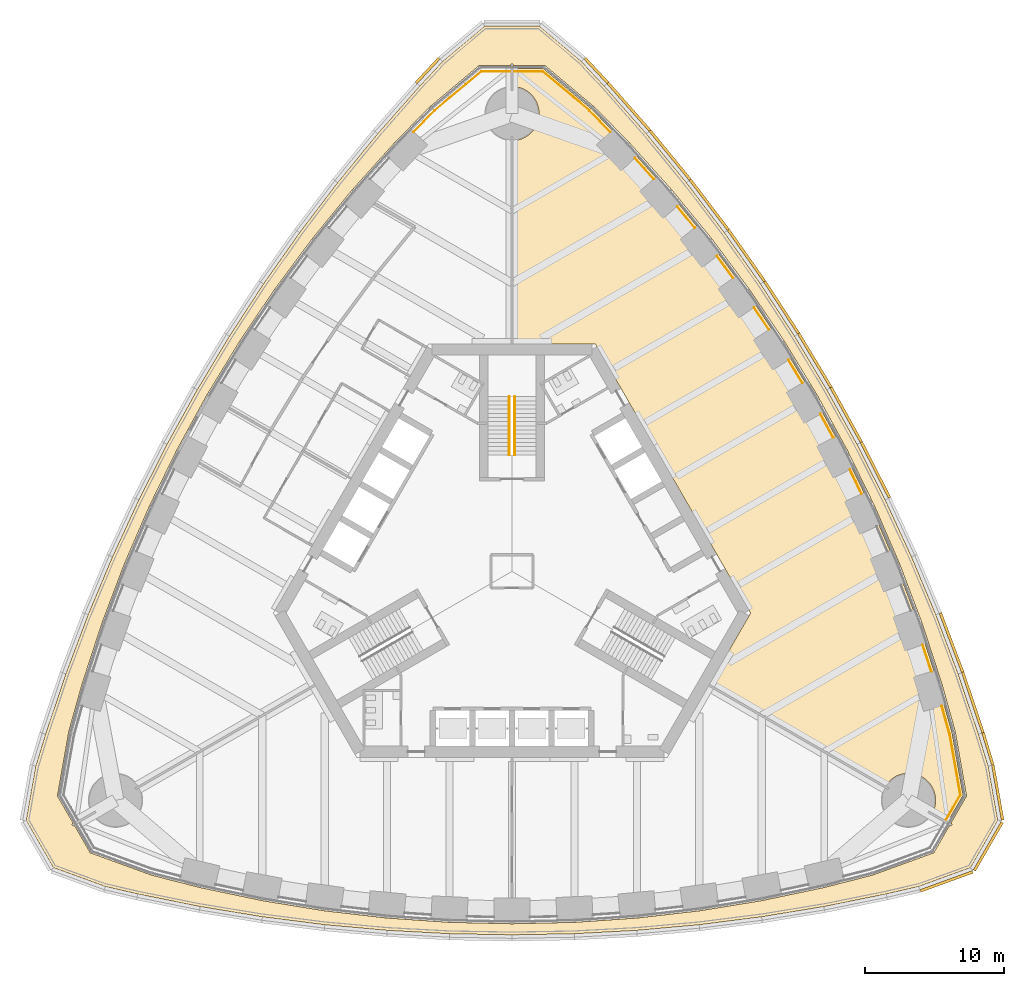
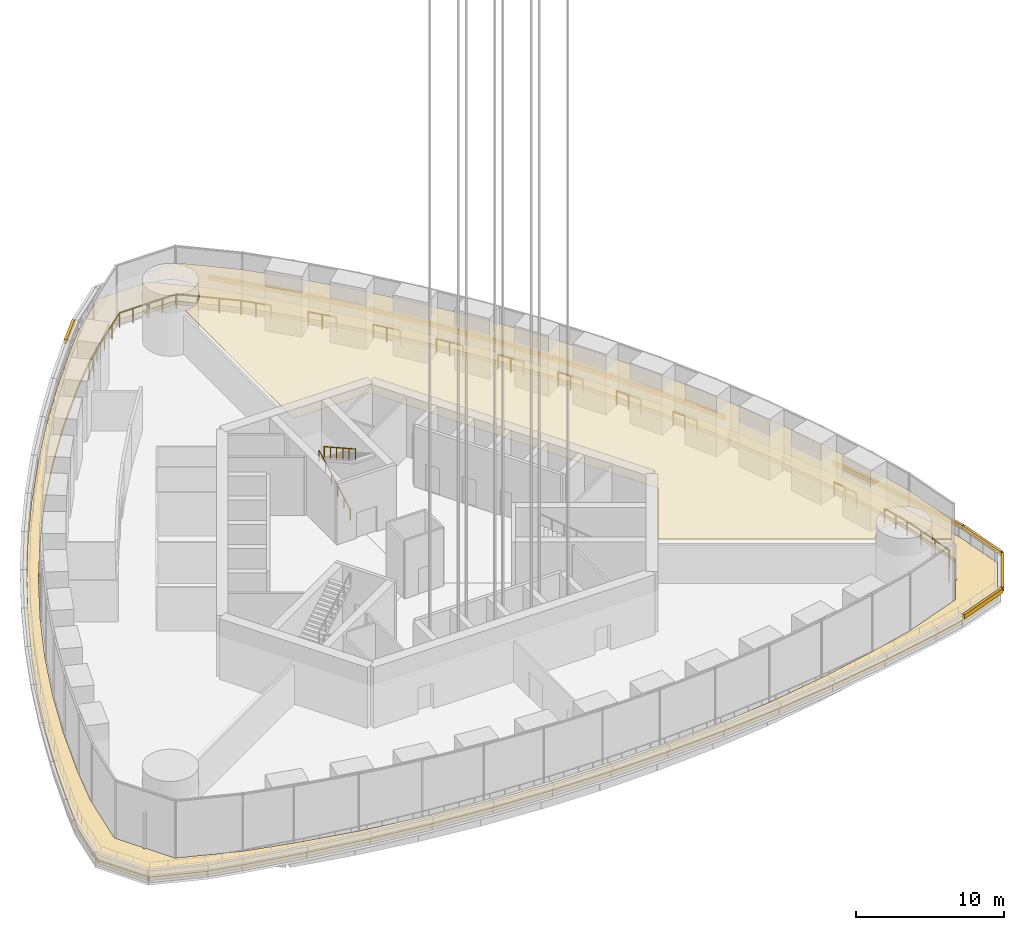
# One storey, part 20 of 31: 18 coverings, 13 railings.
"""IFC4 building model written with IfcOpenShell, lengths in metres."""

import ifcopenshell
import ifcopenshell.guid

model = None  # the IFC model being written
_history = None  # IfcOwnerHistory: only IFC2X3 demands one
_inside = {}  # id of a spatial element -> (the spatial element, [elements in it])
_under = {}  # id of a project, library or spatial element -> (it, [spatial elements below it])
_declared = {}  # id of a project -> (the project, [libraries it declares])
_typed = {}  # id of a type object -> (the type object, [elements of that type])
_made_of = {}  # id of a material, layer set ... -> (it, [elements and type objects made of it])


def new_model(schema):
    """Start an empty IFC model of exactly this schema.

    Asked for "IFC4X3", IfcOpenShell would pick the latest addendum, in which some entities
    have other attributes; the version numbers below select the first issue.
    IFC2X3 requires an IfcOwnerHistory on every rooted entity: one is made here for all.
    """
    global model, _history
    if schema == "IFC4X3":
        model = ifcopenshell.file(schema_version=(4, 3, 0, 0))
    else:
        model = ifcopenshell.file(schema=schema)
    _inside.clear()
    _under.clear()
    _declared.clear()
    _typed.clear()
    _made_of.clear()
    _history = None
    if model.schema == "IFC2X3":
        org = make("IfcOrganization", Name="unknown")
        user = make(
            "IfcPersonAndOrganization",
            ThePerson=make("IfcPerson", FamilyName="unknown"),
            TheOrganization=org,
        )
        app = make(
            "IfcApplication",
            ApplicationDeveloper=org,
            Version="unknown",
            ApplicationFullName="unknown",
            ApplicationIdentifier="unknown",
        )
        _history = make(
            "IfcOwnerHistory",
            OwningUser=user,
            OwningApplication=app,
            ChangeAction="ADDED",
            CreationDate=0,
        )
    return model


def make(cls, **values):
    """One entity of the class cls with the attributes given. An attribute that is None is left unset."""
    return model.create_entity(
        cls, **{name: value for name, value in values.items() if value is not None}
    )


def rooted(cls, **values):
    """An entity with a GlobalId (a new one), such as an element, a storey or a relation."""
    return make(cls, GlobalId=ifcopenshell.guid.new(), OwnerHistory=_history, **values)


def si_unit(unit_type, name, prefix=None):
    """IfcSIUnit, for example si_unit("LENGTHUNIT", "METRE", prefix="MILLI")."""
    return make("IfcSIUnit", UnitType=unit_type, Prefix=prefix, Name=name)


def assignment(units):
    """IfcUnitAssignment: the units of a project."""
    return None if units is None else make("IfcUnitAssignment", Units=units)


def point(xyz):
    """IfcCartesianPoint."""
    return None if xyz is None else make("IfcCartesianPoint", Coordinates=xyz)


def direction(xyz):
    """IfcDirection."""
    return None if xyz is None else make("IfcDirection", DirectionRatios=xyz)


def frame(location, z_axis=None, x_axis=None):
    """IfcAxis2Placement3D, a coordinate frame: its origin and axes. An axis left out is left unset."""
    return make(
        "IfcAxis2Placement3D",
        Location=point(location),
        Axis=direction(z_axis),
        RefDirection=direction(x_axis),
    )


def frame_2d(location, x_axis=None):
    """IfcAxis2Placement2D, a coordinate frame in the plane: its origin and x axis."""
    return make(
        "IfcAxis2Placement2D", Location=point(location), RefDirection=direction(x_axis)
    )


def origin():
    """The frame at (0, 0, 0) with its axes left unset."""
    return frame((0.0, 0.0, 0.0))


def origin_2d():
    """The frame at (0, 0) in the plane with its x axis left unset."""
    return frame_2d((0.0, 0.0))


def place(relative_to, where):
    """IfcLocalPlacement: puts the frame where relative to a parent placement (None: the world)."""
    return make(
        "IfcLocalPlacement", PlacementRelTo=relative_to, RelativePlacement=where
    )


def context(
    kind, dimensions, precision=None, world=None, true_north=None, identifier=None
):
    """IfcGeometricRepresentationContext, for example the 3D "Model" context."""
    return make(
        "IfcGeometricRepresentationContext",
        ContextIdentifier=identifier,
        ContextType=kind,
        CoordinateSpaceDimension=dimensions,
        Precision=precision,
        WorldCoordinateSystem=world,
        TrueNorth=true_north,
    )


def subcontext(parent, identifier, kind, view, scale=None):
    """IfcGeometricRepresentationSubContext, for example "Body" below "Model"."""
    return make(
        "IfcGeometricRepresentationSubContext",
        ContextIdentifier=identifier,
        ContextType=kind,
        ParentContext=parent,
        TargetScale=scale,
        TargetView=view,
    )


def project(units=None, contexts=None):
    """IfcProject with its units and contexts."""
    return rooted(
        "IfcProject",
        Name="project",
        RepresentationContexts=contexts,
        UnitsInContext=assignment(units),
    )


def spatial(cls, under=None, at=None, **own):
    """A site, building, storey or space (cls), placed at a placement, below another one or the project."""
    s = rooted(cls, ObjectPlacement=at, **own)
    if under is not None:
        _under.setdefault(under.id(), (under, []))[1].append(s)
    return s


def polyline(points):
    """IfcPolyline through the points."""
    return make("IfcPolyline", Points=[point(p) for p in points])


def profile(cls, at=None, kind="AREA", **sizes):
    """A parametric profile (cls). Its sizes go by their IFC names, for example OverallWidth=200.0."""
    return make(cls, ProfileType=kind, Position=at, **sizes)


def rectangle(**sizes):
    """IfcRectangleProfileDef."""
    return profile("IfcRectangleProfileDef", **sizes)


def circle(**sizes):
    """IfcCircleProfileDef."""
    return profile("IfcCircleProfileDef", **sizes)


def outline(outer, holes=None, kind="AREA"):
    """IfcArbitraryClosedProfileDef: a profile drawn as a closed curve; with holes, ...WithVoids."""
    if holes is None:
        return make("IfcArbitraryClosedProfileDef", ProfileType=kind, OuterCurve=outer)
    return make(
        "IfcArbitraryProfileDefWithVoids",
        ProfileType=kind,
        OuterCurve=outer,
        InnerCurves=holes,
    )


def extrude(swept, where, along, depth):
    """IfcExtrudedAreaSolid: the profile swept, set in the frame where, extruded along a direction by depth."""
    return make(
        "IfcExtrudedAreaSolid",
        SweptArea=swept,
        Position=where,
        ExtrudedDirection=direction(along),
        Depth=depth,
    )


def shape(context_of_items, identifier, shape_type, items):
    """IfcShapeRepresentation: the items that make up one representation, for example the "Body"."""
    return make(
        "IfcShapeRepresentation",
        ContextOfItems=context_of_items,
        RepresentationIdentifier=identifier,
        RepresentationType=shape_type,
        Items=items,
    )


def material(Name=None, Category=None):
    """IfcMaterial."""
    return make("IfcMaterial", Name=Name, Category=Category)


def layer(
    of_material, thickness, ventilated=None, Name=None, Category=None, Priority=None
):
    """IfcMaterialLayer: one layer of a wall or slab, of a material (None: an air gap)."""
    return make(
        "IfcMaterialLayer",
        Material=of_material,
        LayerThickness=thickness,
        IsVentilated=ventilated,
        Name=Name,
        Category=Category,
        Priority=Priority,
    )


def layer_set(layers, Name=None):
    """IfcMaterialLayerSet."""
    return make("IfcMaterialLayerSet", MaterialLayers=layers, LayerSetName=Name)


def made_of(thing, what):
    """Note that an element or type object is made of a material, layer set ...; save() writes the relation."""
    if what is not None:
        _made_of.setdefault(what.id(), (what, []))[1].append(thing)
    return thing


def type_object(cls, material=None, **own):
    """A type object (cls), such as IfcWallType, which elements share."""
    return made_of(rooted(cls, **own), material)


def element(
    cls,
    number,
    at=None,
    inside=None,
    cuts=None,
    type_object=None,
    material=None,
    context=None,
    identifier="Body",
    shape_type=None,
    held_by="IfcProductDefinitionShape",
    body=None,
    shapes=None,
    **own,
):
    """One element of the class cls, such as IfcWall. Its Tag is "e" and its number.

    at: its placement. inside: the storey or other place that contains it. cuts: it is an
    opening in that element (IfcRelVoidsElement). A single representation is given by context,
    identifier, shape_type and body (its items); several are given by shapes. held_by: the class
    of the entity that holds the representations. save() writes the other relations.
    """
    e = rooted(cls, Tag="e%d" % number, ObjectPlacement=at, **own)
    if body is not None:
        shapes = [shape(context, identifier, shape_type, body)]
    if shapes is not None:
        e.Representation = make(held_by, Representations=shapes)
    if inside is not None:
        _inside.setdefault(inside.id(), (inside, []))[1].append(e)
    if cuts is not None:
        rooted(
            "IfcRelVoidsElement", RelatingBuildingElement=cuts, RelatedOpeningElement=e
        )
    if type_object is not None:
        _typed.setdefault(type_object.id(), (type_object, []))[1].append(e)
    return made_of(e, material)


def aggregate(whole, parts):
    """IfcRelAggregates: a whole, such as a stair, and the parts it consists of."""
    return rooted("IfcRelAggregates", RelatingObject=whole, RelatedObjects=parts)


def save(model, path):
    """Write the relations noted so far, then the file.

    IfcRelAggregates (storeys below a building ...), IfcRelContainedInSpatialStructure (elements
    in a storey), IfcRelDefinesByType, IfcRelAssociatesMaterial and IfcRelDeclares: one each for
    every whole, place, type object, material and project.
    """
    for whole, parts in _under.values():
        aggregate(whole, parts)
    for where, things in _inside.values():
        rooted(
            "IfcRelContainedInSpatialStructure",
            RelatedElements=things,
            RelatingStructure=where,
        )
    for kind, things in _typed.values():
        rooted("IfcRelDefinesByType", RelatedObjects=things, RelatingType=kind)
    for what, things in _made_of.values():
        rooted("IfcRelAssociatesMaterial", RelatedObjects=things, RelatingMaterial=what)
    for by, libraries in _declared.values():
        rooted("IfcRelDeclares", RelatingContext=by, RelatedDefinitions=libraries)
    model.write(path)


model = new_model("IFC4")

# Units and contexts
model_context = context("Model", 3, precision=1e-05, world=origin(), true_north=direction((0.0, 1.0)))
body_context = subcontext(model_context, "Body", "Model", "MODEL_VIEW")
ifc_project = project(units=[si_unit("LENGTHUNIT", "METRE"), si_unit("AREAUNIT", "SQUARE_METRE"), si_unit("VOLUMEUNIT", "CUBIC_METRE"), si_unit("PLANEANGLEUNIT", "RADIAN"), si_unit("MASSUNIT", "GRAM", prefix="KILO")], contexts=[model_context])

# Site, building, storey
site_placement = place(None, origin())
site = spatial("IfcSite", under=ifc_project, at=site_placement, CompositionType="ELEMENT")
building_placement = place(site_placement, origin())
building = spatial("IfcBuilding", under=site, at=building_placement, Name="Trefoil Bronze Tower", CompositionType="ELEMENT")
storey_placement = place(building_placement, frame((0.0, 0.0, 184.699951171875)))
storey = spatial("IfcBuildingStorey", under=building, at=storey_placement, Name="L42", CompositionType="ELEMENT", Elevation=184.699951171875)

# Covering
ifc_material_1 = material(Name="Bronze metal ceiling panels", Category="metal")
ifc_layer_1 = layer(ifc_material_1, 0.02001953125)
ifc_layer_set_1 = layer_set([ifc_layer_1], Name="Feature ceiling 20")
covering_type_1 = type_object("IfcCoveringType", Name="Feature ceiling 20", PredefinedType="CEILING", material=ifc_layer_set_1)
covering_1_placement = place(storey_placement, frame((0.0, 0.0, 3.60009765625)))
element("IfcCovering", 1, at=covering_1_placement, inside=storey, type_object=covering_type_1, Name="Ceiling L42-019", PredefinedType="CEILING", context=body_context, shape_type="SweptSolid", body=[
    extrude(outline(polyline([(8.26318359375, 30.751708984375), (11.3369140625, 27.329833984375), (14.2216796875, 23.79931640625), (16.92236328125, 20.162353515625), (19.44140625, 16.420654296875), (21.781005859375, 12.5751953125), (23.94140625, 8.62646484375), (25.92236328125, 4.573974609375), (27.7216796875, 0.416748046875), (29.3369140625, -3.846923828125), (30.76318359375, -8.219482421875), (31.7265625, -11.650634765625), (32.518310546875, -16.1416015625), (31.385009765625, -18.1044921875), (30.273681640625, -17.46337890625), (30.298583984375, -17.419189453125), (30.341552734375, -17.333740234375), (30.38037109375, -17.24609375), (30.414794921875, -17.156982421875), (30.44482421875, -17.066162109375), (30.470458984375, -16.973876953125), (30.491455078125, -16.88037109375), (30.5078125, -16.7861328125), (30.519287109375, -16.691162109375), (30.526611328125, -16.595703125), (30.52880859375, -16.5), (30.526611328125, -16.404296875), (30.519287109375, -16.308837890625), (30.5078125, -16.2138671875), (30.491455078125, -16.11962890625), (30.470458984375, -16.026123046875), (30.44482421875, -15.933837890625), (30.414794921875, -15.843017578125), (30.38037109375, -15.75390625), (30.341552734375, -15.666259765625), (30.298583984375, -15.580810546875), (30.25146484375, -15.49755859375), (30.2001953125, -15.41650390625), (30.14501953125, -15.33837890625), (30.086181640625, -15.262939453125), (30.023681640625, -15.1904296875), (29.957763671875, -15.12109375), (29.888427734375, -15.05517578125), (29.81591796875, -14.99267578125), (29.740478515625, -14.93359375), (29.662109375, -14.878662109375), (29.581298828125, -14.827392578125), (29.498046875, -14.7802734375), (29.41259765625, -14.7373046875), (29.3251953125, -14.698486328125), (29.23583984375, -14.6640625), (29.14501953125, -14.634033203125), (29.052490234375, -14.6083984375), (28.959228515625, -14.58740234375), (28.864990234375, -14.571044921875), (28.77001953125, -14.559326171875), (28.674560546875, -14.55224609375), (28.578857421875, -14.550048828125), (28.483154296875, -14.55224609375), (28.3876953125, -14.559326171875), (28.292724609375, -14.571044921875), (28.198486328125, -14.58740234375), (28.10498046875, -14.6083984375), (28.0126953125, -14.634033203125), (27.921875, -14.6640625), (27.83251953125, -14.698486328125), (27.7451171875, -14.7373046875), (27.65966796875, -14.7802734375), (27.576416015625, -14.827392578125), (27.49560546875, -14.878662109375), (27.417236328125, -14.93359375), (27.341796875, -14.99267578125), (27.269287109375, -15.05517578125), (27.199951171875, -15.12109375), (27.134033203125, -15.1904296875), (27.071533203125, -15.262939453125), (27.0126953125, -15.33837890625), (26.95751953125, -15.41650390625), (26.896240234375, -15.51513671875), (14.205810546875, -8.194580078125), (17.205078125, -3.0), (6.00439453125, 16.39990234375), (0.006103515625, 16.39990234375), (0.01171875, 31.05029296875), (0.095703125, 31.05224609375), (0.191162109375, 31.059326171875), (0.2861328125, 31.071044921875), (0.38037109375, 31.08740234375), (0.473876953125, 31.1083984375), (0.566162109375, 31.134033203125), (0.656982421875, 31.1640625), (0.74609375, 31.198486328125), (0.833740234375, 31.2373046875), (0.919189453125, 31.2802734375), (1.00244140625, 31.327392578125), (1.08349609375, 31.378662109375), (1.16162109375, 31.43359375), (1.237060546875, 31.49267578125), (1.3095703125, 31.55517578125), (1.37890625, 31.62109375), (1.44482421875, 31.6904296875), (1.50732421875, 31.762939453125), (1.56640625, 31.83837890625), (1.621337890625, 31.91650390625), (1.672607421875, 31.99755859375), (1.7197265625, 32.080810546875), (1.7626953125, 32.166259765625), (1.801513671875, 32.25390625), (1.8359375, 32.343017578125), (1.865966796875, 32.433837890625), (1.8916015625, 32.526123046875), (1.91259765625, 32.61962890625), (1.928955078125, 32.7138671875), (1.940673828125, 32.808837890625), (1.94775390625, 32.904296875), (1.949951171875, 33.0), (1.94775390625, 33.095703125), (1.940673828125, 33.191162109375), (1.928955078125, 33.2861328125), (1.91259765625, 33.38037109375), (1.8916015625, 33.473876953125), (1.865966796875, 33.566162109375), (1.8359375, 33.656982421875), (1.801513671875, 33.74609375), (1.7626953125, 33.833740234375), (1.7197265625, 33.919189453125), (1.672607421875, 34.00244140625), (1.621337890625, 34.08349609375), (1.56640625, 34.16162109375), (1.50732421875, 34.237060546875), (1.44482421875, 34.3095703125), (1.37890625, 34.37890625), (1.3095703125, 34.44482421875), (1.237060546875, 34.50732421875), (1.16162109375, 34.56640625), (1.08349609375, 34.621337890625), (1.00244140625, 34.672607421875), (0.919189453125, 34.7197265625), (0.833740234375, 34.7626953125), (0.74609375, 34.801513671875), (0.656982421875, 34.8359375), (0.566162109375, 34.865966796875), (0.473876953125, 34.8916015625), (0.38037109375, 34.91259765625), (0.2861328125, 34.928955078125), (0.191162109375, 34.940673828125), (0.095703125, 34.94775390625), (0.01318359375, 34.94970703125), (0.013671875, 36.232666015625), (2.280029296875, 36.232666015625), (5.7734375, 33.30126953125), (8.26318359375, 30.751708984375)])), origin(), (0.0, 0.0, 1.0), 0.02001953125),
])

# Railings
ifc_material_2 = material(Name="Bronze-finish steel guard rail and posts", Category="steel")
railing_type_1 = type_object("IfcRailingType", Name="Glazing guard 1200", PredefinedType="GUARDRAIL", material=ifc_material_2)
railing_1_placement = place(storey_placement, frame((31.253173828125, -17.957275390625, 0.0)))
element("IfcRailing", 2, at=railing_1_placement, inside=storey, type_object=railing_type_1, Name="Glazing guard L42.16", PredefinedType="GUARDRAIL", context=body_context, shape_type="SweptSolid", body=[
    extrude(circle(Radius=0.02392578125, at=origin_2d()), frame((0.0, 0.0, 1.17578125), z_axis=(0.500022479402, 0.866012424906, 0.0), x_axis=(-0.866012424906, 0.500022479402, 0.0)), (0.0, 0.0, 1.0), 2.13671875),
    extrude(circle(Radius=0.02392578125, at=origin_2d()), frame((1.068359375, 1.850341796875, 1.17578125), z_axis=(-0.173690876104, 0.984800223171, 0.0), x_axis=(-0.984800223171, -0.173690876104, 0.0)), (0.0, 0.0, 1.0), 4.42333984375),
    extrude(circle(Radius=0.02392578125, at=origin_2d()), frame((0.300048828125, 6.20654296875, 1.17578125), z_axis=(-0.2702058815, 0.962802566263, 0.0), x_axis=(-0.962802566263, -0.2702058815, 0.0)), (0.0, 0.0, 1.0), 2.122314453125),
    extrude(circle(Radius=0.02099609375, at=origin_2d()), origin(), (0.0, 0.0, 1.0), 1.15185546875),
    extrude(circle(Radius=0.02099609375, at=origin_2d()), frame((0.5341796875, 0.92529296875, 0.0)), (0.0, 0.0, 1.0), 1.15185546875),
    extrude(circle(Radius=0.02099609375, at=origin_2d()), frame((1.068359375, 1.850341796875, 0.0)), (0.0, 0.0, 1.0), 1.15185546875),
    extrude(circle(Radius=0.02099609375, at=origin_2d()), frame((0.812255859375, 3.302490234375, 0.0)), (0.0, 0.0, 1.0), 1.15185546875),
    extrude(circle(Radius=0.02099609375, at=origin_2d()), frame((0.55615234375, 4.75439453125, 0.0)), (0.0, 0.0, 1.0), 1.15185546875),
    extrude(circle(Radius=0.02099609375, at=origin_2d()), frame((0.300048828125, 6.20654296875, 0.0)), (0.0, 0.0, 1.0), 1.15185546875),
    extrude(circle(Radius=0.02099609375, at=origin_2d()), frame((0.01318359375, 7.228271484375, 0.0)), (0.0, 0.0, 1.0), 1.15185546875),
    extrude(circle(Radius=0.02099609375, at=origin_2d()), frame((-0.2734375, 8.25, 0.0)), (0.0, 0.0, 1.0), 1.15185546875),
])
railing_2_placement = place(storey_placement, frame((30.23046875, -7.217529296875, 0.0)))
element("IfcRailing", 3, at=railing_2_placement, inside=storey, type_object=railing_type_1, Name="Glazing guard L42.17", PredefinedType="GUARDRAIL", context=body_context, shape_type="SweptSolid", body=[
    extrude(circle(Radius=0.02392578125, at=origin_2d()), frame((0.0, 0.0, 1.17578125), z_axis=(-0.310150768073, 0.950687383457, 0.0), x_axis=(-0.950687383457, -0.310150768073, 0.0)), (0.0, 0.0, 1.0), 2.02685546875),
    extrude(circle(Radius=0.02099609375, at=origin_2d()), origin(), (0.0, 0.0, 1.0), 1.15185546875),
    extrude(circle(Radius=0.02099609375, at=origin_2d()), frame((-0.314453125, 0.96337890625, 0.0)), (0.0, 0.0, 1.0), 1.15185546875),
    extrude(circle(Radius=0.02099609375, at=origin_2d()), frame((-0.628662109375, 1.927001953125, 0.0)), (0.0, 0.0, 1.0), 1.15185546875),
])
railing_3_placement = place(storey_placement, frame((25.202392578125, 5.59228515625, 0.0)))
element("IfcRailing", 4, at=railing_3_placement, inside=storey, type_object=railing_type_1, Name="Glazing guard L42.20", PredefinedType="GUARDRAIL", context=body_context, shape_type="SweptSolid", body=[
    extrude(circle(Radius=0.02392578125, at=origin_2d()), frame((0.0, 0.0, 1.17578125), z_axis=(-0.439031625906, 0.898471608597, 0.0), x_axis=(-0.898471608597, -0.439031625906, 0.0)), (0.0, 0.0, 1.0), 1.93798828125),
    extrude(circle(Radius=0.02099609375, at=origin_2d()), origin(), (0.0, 0.0, 1.0), 1.15185546875),
    extrude(circle(Radius=0.02099609375, at=origin_2d()), frame((-0.42529296875, 0.87060546875, 0.0)), (0.0, 0.0, 1.0), 1.15185546875),
    extrude(circle(Radius=0.02099609375, at=origin_2d()), frame((-0.850830078125, 1.7412109375, 0.0)), (0.0, 0.0, 1.0), 1.15185546875),
])
railing_4_placement = place(storey_placement, frame((23.157470703125, 9.64306640625, 0.0)))
element("IfcRailing", 5, at=railing_4_placement, inside=storey, type_object=railing_type_1, Name="Glazing guard L42.21", PredefinedType="GUARDRAIL", context=body_context, shape_type="SweptSolid", body=[
    extrude(circle(Radius=0.02392578125, at=origin_2d()), frame((0.0, 0.0, 1.17578125), z_axis=(-0.480031640413, 0.877251175093, 0.0), x_axis=(-0.877251175093, -0.480031640413, 0.0)), (0.0, 0.0, 1.0), 1.927978515625),
    extrude(circle(Radius=0.02099609375, at=origin_2d()), origin(), (0.0, 0.0, 1.0), 1.15185546875),
    extrude(circle(Radius=0.02099609375, at=origin_2d()), frame((-0.462890625, 0.845703125, 0.0)), (0.0, 0.0, 1.0), 1.15185546875),
    extrude(circle(Radius=0.02099609375, at=origin_2d()), frame((-0.925537109375, 1.69140625, 0.0)), (0.0, 0.0, 1.0), 1.15185546875),
])
railing_5_placement = place(storey_placement, frame((20.93212890625, 13.586181640625, 0.0)))
element("IfcRailing", 6, at=railing_5_placement, inside=storey, type_object=railing_type_1, Name="Glazing guard L42.22", PredefinedType="GUARDRAIL", context=body_context, shape_type="SweptSolid", body=[
    extrude(circle(Radius=0.02392578125, at=origin_2d()), frame((0.0, 0.0, 1.17578125), z_axis=(-0.519774209417, 0.854303676233, 0.0), x_axis=(-0.854303676233, -0.519774209417, 0.0)), (0.0, 0.0, 1.0), 1.92822265625),
    extrude(circle(Radius=0.02099609375, at=origin_2d()), origin(), (0.0, 0.0, 1.0), 1.15185546875),
    extrude(circle(Radius=0.02099609375, at=origin_2d()), frame((-0.5009765625, 0.82373046875, 0.0)), (0.0, 0.0, 1.0), 1.15185546875),
    extrude(circle(Radius=0.02099609375, at=origin_2d()), frame((-1.002197265625, 1.647216796875, 0.0)), (0.0, 0.0, 1.0), 1.15185546875),
])
railing_6_placement = place(storey_placement, frame((18.526611328125, 17.42236328125, 0.0)))
element("IfcRailing", 7, at=railing_6_placement, inside=storey, type_object=railing_type_1, Name="Glazing guard L42.23", PredefinedType="GUARDRAIL", context=body_context, shape_type="SweptSolid", body=[
    extrude(circle(Radius=0.02392578125, at=origin_2d()), frame((0.0, 0.0, 1.17578125), z_axis=(-0.558503087208, 0.829502442178, 0.0), x_axis=(-0.829502442178, -0.558503087208, 0.0)), (0.0, 0.0, 1.0), 1.937744140625),
    extrude(circle(Radius=0.02099609375, at=origin_2d()), origin(), (0.0, 0.0, 1.0), 1.15185546875),
    extrude(circle(Radius=0.02099609375, at=origin_2d()), frame((-0.541015625, 0.8037109375, 0.0)), (0.0, 0.0, 1.0), 1.15185546875),
    extrude(circle(Radius=0.02099609375, at=origin_2d()), frame((-1.082275390625, 1.607421875, 0.0)), (0.0, 0.0, 1.0), 1.15185546875),
])
railing_7_placement = place(storey_placement, frame((15.94091796875, 21.15087890625, 0.0)))
element("IfcRailing", 8, at=railing_7_placement, inside=storey, type_object=railing_type_1, Name="Glazing guard L42.24", PredefinedType="GUARDRAIL", context=body_context, shape_type="SweptSolid", body=[
    extrude(circle(Radius=0.02392578125, at=origin_2d()), frame((0.0, 0.0, 1.17578125), z_axis=(-0.596202309581, 0.802834233232, 0.0), x_axis=(-0.802834233232, -0.596202309581, 0.0)), (0.0, 0.0, 1.0), 1.957763671875),
    extrude(circle(Radius=0.02099609375, at=origin_2d()), origin(), (0.0, 0.0, 1.0), 1.15185546875),
    extrude(circle(Radius=0.02099609375, at=origin_2d()), frame((-0.58349609375, 0.785888671875, 0.0)), (0.0, 0.0, 1.0), 1.15185546875),
    extrude(circle(Radius=0.02099609375, at=origin_2d()), frame((-1.167236328125, 1.57177734375, 0.0)), (0.0, 0.0, 1.0), 1.15185546875),
])
railing_8_placement = place(storey_placement, frame((13.172607421875, 24.771240234375, 0.0)))
element("IfcRailing", 9, at=railing_8_placement, inside=storey, type_object=railing_type_1, Name="Glazing guard L42.25", PredefinedType="GUARDRAIL", context=body_context, shape_type="SweptSolid", body=[
    extrude(circle(Radius=0.02392578125, at=origin_2d()), frame((0.0, 0.0, 1.17578125), z_axis=(-0.632735969406, 0.774367608452, 0.0), x_axis=(-0.774367608452, -0.632735969406, 0.0)), (0.0, 0.0, 1.0), 1.987548828125),
    extrude(circle(Radius=0.02099609375, at=origin_2d()), origin(), (0.0, 0.0, 1.0), 1.15185546875),
    extrude(circle(Radius=0.02099609375, at=origin_2d()), frame((-0.62890625, 0.76953125, 0.0)), (0.0, 0.0, 1.0), 1.15185546875),
    extrude(circle(Radius=0.02099609375, at=origin_2d()), frame((-1.257568359375, 1.5390625, 0.0)), (0.0, 0.0, 1.0), 1.15185546875),
])
railing_9_placement = place(storey_placement, frame((10.21923828125, 28.28125, 0.0)))
element("IfcRailing", 10, at=railing_9_placement, inside=storey, type_object=railing_type_1, Name="Glazing guard L42.26", PredefinedType="GUARDRAIL", context=body_context, shape_type="SweptSolid", body=[
    extrude(circle(Radius=0.02392578125, at=origin_2d()), frame((0.0, 0.0, 1.17578125), z_axis=(-0.668212458331, 0.743970503805, 0.0), x_axis=(-0.743970503805, -0.668212458331, 0.0)), (0.0, 0.0, 1.0), 2.027099609375),
    extrude(circle(Radius=0.02099609375, at=origin_2d()), origin(), (0.0, 0.0, 1.0), 1.15185546875),
    extrude(circle(Radius=0.02099609375, at=origin_2d()), frame((-0.67724609375, 0.75390625, 0.0)), (0.0, 0.0, 1.0), 1.15185546875),
    extrude(circle(Radius=0.02099609375, at=origin_2d()), frame((-1.3544921875, 1.508056640625, 0.0)), (0.0, 0.0, 1.0), 1.15185546875),
])
railing_10_placement = place(storey_placement, frame((7.0830078125, 31.682861328125, 0.0)))
element("IfcRailing", 11, at=railing_10_placement, inside=storey, type_object=railing_type_1, Name="Glazing guard L42.27", PredefinedType="GUARDRAIL", context=body_context, shape_type="SweptSolid", body=[
    extrude(circle(Radius=0.02392578125, at=origin_2d()), frame((0.0, 0.0, 1.17578125), z_axis=(-0.698658737473, 0.715455077942, 0.0), x_axis=(-0.715455077942, -0.698658737473, 0.0)), (0.0, 0.0, 1.0), 2.1220703125),
    extrude(circle(Radius=0.02392578125, at=origin_2d()), frame((-1.482666015625, 1.518310546875, 1.17578125), z_axis=(-0.766036368623, 0.642797232374, 0.0), x_axis=(-0.642797232374, -0.766036368623, 0.0)), (0.0, 0.0, 1.0), 4.423583984375),
    extrude(circle(Radius=0.02392578125, at=origin_2d()), frame((-4.871337890625, 4.36181640625, 1.17578125), z_axis=(-1.0, 0.0, 0.0), x_axis=(0.0, -1.0, 0.0)), (0.0, 0.0, 1.0), 2.13671875),
    extrude(circle(Radius=0.02099609375, at=origin_2d()), origin(), (0.0, 0.0, 1.0), 1.15185546875),
    extrude(circle(Radius=0.02099609375, at=origin_2d()), frame((-0.7412109375, 0.75927734375, 0.0)), (0.0, 0.0, 1.0), 1.15185546875),
    extrude(circle(Radius=0.02099609375, at=origin_2d()), frame((-1.482666015625, 1.518310546875, 0.0)), (0.0, 0.0, 1.0), 1.15185546875),
    extrude(circle(Radius=0.02099609375, at=origin_2d()), frame((-2.6123046875, 2.466064453125, 0.0)), (0.0, 0.0, 1.0), 1.15185546875),
    extrude(circle(Radius=0.02099609375, at=origin_2d()), frame((-3.74169921875, 3.4140625, 0.0)), (0.0, 0.0, 1.0), 1.15185546875),
    extrude(circle(Radius=0.02099609375, at=origin_2d()), frame((-4.871337890625, 4.36181640625, 0.0)), (0.0, 0.0, 1.0), 1.15185546875),
    extrude(circle(Radius=0.02099609375, at=origin_2d()), frame((-5.939697265625, 4.36181640625, 0.0)), (0.0, 0.0, 1.0), 1.15185546875),
    extrude(circle(Radius=0.02099609375, at=origin_2d()), frame((-7.008056640625, 4.36181640625, 0.0)), (0.0, 0.0, 1.0), 1.15185546875),
])
railing_11_placement = place(storey_placement, frame((-0.074951171875, 36.044677734375, 0.0)))
element("IfcRailing", 12, at=railing_11_placement, inside=storey, type_object=railing_type_1, Name="Glazing guard L42.28", PredefinedType="GUARDRAIL", context=body_context, shape_type="SweptSolid", body=[
    extrude(circle(Radius=0.02392578125, at=origin_2d()), frame((0.0, 0.0, 1.17578125), z_axis=(-1.0, 0.0, 0.0), x_axis=(0.0, -1.0, 0.0)), (0.0, 0.0, 1.0), 2.13671875),
    extrude(circle(Radius=0.02392578125, at=origin_2d()), frame((-2.13671875, 0.0, 1.17578125), z_axis=(-0.766036368623, -0.642797232374, 0.0), x_axis=(0.642797232374, -0.766036368623, 0.0)), (0.0, 0.0, 1.0), 4.423583984375),
    extrude(circle(Radius=0.02392578125, at=origin_2d()), frame((-5.525390625, -2.843505859375, 1.17578125), z_axis=(-0.698658737473, -0.715455077942, 0.0), x_axis=(0.715455077942, -0.698658737473, 0.0)), (0.0, 0.0, 1.0), 2.1220703125),
    extrude(circle(Radius=0.02099609375, at=origin_2d()), origin(), (0.0, 0.0, 1.0), 1.15185546875),
    extrude(circle(Radius=0.02099609375, at=origin_2d()), frame((-1.068359375, 0.0, 0.0)), (0.0, 0.0, 1.0), 1.15185546875),
    extrude(circle(Radius=0.02099609375, at=origin_2d()), frame((-2.13671875, 0.0, 0.0)), (0.0, 0.0, 1.0), 1.15185546875),
    extrude(circle(Radius=0.02099609375, at=origin_2d()), frame((-3.266357421875, -0.94775390625, 0.0)), (0.0, 0.0, 1.0), 1.15185546875),
    extrude(circle(Radius=0.02099609375, at=origin_2d()), frame((-4.395751953125, -1.895751953125, 0.0)), (0.0, 0.0, 1.0), 1.15185546875),
    extrude(circle(Radius=0.02099609375, at=origin_2d()), frame((-5.525390625, -2.843505859375, 0.0)), (0.0, 0.0, 1.0), 1.15185546875),
    extrude(circle(Radius=0.02099609375, at=origin_2d()), frame((-6.2666015625, -3.6025390625, 0.0)), (0.0, 0.0, 1.0), 1.15185546875),
    extrude(circle(Radius=0.02099609375, at=origin_2d()), frame((-7.008056640625, -4.36181640625, 0.0)), (0.0, 0.0, 1.0), 1.15185546875),
])
ifc_material_3 = material(Name="Steel handrail", Category="steel")
railing_type_2 = type_object("IfcRailingType", Name="Handrail 900", PredefinedType="HANDRAIL", material=ifc_material_3)
railing_12_placement = place(storey_placement, frame((-0.199951171875, 8.389892578125, 0.166748046875)))
element("IfcRailing", 13, at=railing_12_placement, inside=storey, type_object=railing_type_2, Name="Handrail ST2 flight 1 L42", PredefinedType="HANDRAIL", context=body_context, shape_type="SweptSolid", body=[
    extrude(circle(Radius=0.02392578125, at=origin_2d()), frame((0.0, 0.0, 0.8759765625), z_axis=(0.0, 0.874174053232, 0.485612731152), x_axis=(-1.0, 0.0, 0.0)), (0.0, 0.0, 1.0), 4.8046875),
    extrude(circle(Radius=0.02099609375, at=origin_2d()), origin(), (0.0, 0.0, 1.0), 0.851806640625),
    extrude(circle(Radius=0.02099609375, at=origin_2d()), frame((0.0, 0.840087890625, 0.466552734375)), (0.0, 0.0, 1.0), 0.851806640625),
    extrude(circle(Radius=0.02099609375, at=origin_2d()), frame((0.0, 1.68017578125, 0.933349609375)), (0.0, 0.0, 1.0), 0.851806640625),
    extrude(circle(Radius=0.02099609375, at=origin_2d()), frame((0.0, 2.52001953125, 1.39990234375)), (0.0, 0.0, 1.0), 0.851806640625),
    extrude(circle(Radius=0.02099609375, at=origin_2d()), frame((0.0, 3.360107421875, 1.86669921875)), (0.0, 0.0, 1.0), 0.851806640625),
    extrude(circle(Radius=0.02099609375, at=origin_2d()), frame((0.0, 4.2001953125, 2.333251953125)), (0.0, 0.0, 1.0), 0.851806640625),
])
railing_13_placement = place(storey_placement, frame((0.199951171875, 12.590087890625, 2.666748046875)))
element("IfcRailing", 14, at=railing_13_placement, inside=storey, type_object=railing_type_2, Name="Handrail ST2 flight 2 L42", PredefinedType="HANDRAIL", context=body_context, shape_type="SweptSolid", body=[
    extrude(circle(Radius=0.02392578125, at=origin_2d()), frame((0.0, 0.0, 0.8759765625), z_axis=(0.0, -0.874174053232, 0.485612731152), x_axis=(1.0, 0.0, 0.0)), (0.0, 0.0, 1.0), 4.8046875),
    extrude(circle(Radius=0.02099609375, at=origin_2d()), origin(), (0.0, 0.0, 1.0), 0.851806640625),
    extrude(circle(Radius=0.02099609375, at=origin_2d()), frame((0.0, -0.840087890625, 0.466552734375)), (0.0, 0.0, 1.0), 0.851806640625),
    extrude(circle(Radius=0.02099609375, at=origin_2d()), frame((0.0, -1.68017578125, 0.933349609375)), (0.0, 0.0, 1.0), 0.851806640625),
    extrude(circle(Radius=0.02099609375, at=origin_2d()), frame((0.0, -2.52001953125, 1.39990234375)), (0.0, 0.0, 1.0), 0.851806640625),
    extrude(circle(Radius=0.02099609375, at=origin_2d()), frame((0.0, -3.360107421875, 1.86669921875)), (0.0, 0.0, 1.0), 0.851806640625),
    extrude(circle(Radius=0.02099609375, at=origin_2d()), frame((0.0, -4.2001953125, 2.333251953125)), (0.0, 0.0, 1.0), 0.851806640625),
])

# Coverings
ifc_material_4 = material(Name="Stepped bronze-finish aluminium cornice", Category="aluminium")
covering_type_2 = type_object("IfcCoveringType", Name="Setback cornice 350x200", PredefinedType="MOLDING", material=ifc_material_4)
for number, where, z_axis, x_axis, name in (
    (15, (31.32275390625, -22.348876953125, 0.75), (0.0, 0.0, 1.0), (0.939692620816, 0.342020143244, 0.0), "Setback cornice L42.14"),
    (16, (34.33349609375, -19.822509765625, 0.75), (0.0, 0.0, 1.0), (0.500000000136, 0.866025403706, 0.0), "Setback cornice L42.15"),
    (17, (35.01611328125, -15.951904296875, 0.75), (0.0, 0.0, 1.0), (-0.173648177736, 0.984807753, 0.0), "Setback cornice L42.16"),
):
    element("IfcCovering", number, at=place(storey_placement, frame(where, z_axis=z_axis, x_axis=x_axis)), inside=storey, type_object=covering_type_2, Name=name, PredefinedType="MOLDING", context=body_context, shape_type="SweptSolid", body=[
        extrude(rectangle(XDim=4.018798828125, YDim=0.199951171875, at=origin_2d()), origin(), (0.0, 0.0, 1.0), 0.35009765625),
    ])
covering_2_placement = place(storey_placement, frame((34.307861328125, -12.7890625, 0.75), z_axis=(0.0, 0.0, 1.0), x_axis=(-0.291668676641, 0.956519410711, 0.0)))
element("IfcCovering", 18, at=covering_2_placement, inside=storey, type_object=covering_type_2, Name="Setback cornice L42.17", PredefinedType="MOLDING", context=body_context, shape_type="SweptSolid", body=[
    extrude(rectangle(XDim=2.420166015625, YDim=0.199951171875, at=origin_2d()), origin(), (0.0, 0.0, 1.0), 0.35009765625),
])
covering_3_placement = place(storey_placement, frame((33.22216796875, -9.449462890625, 0.75), z_axis=(0.0, 0.0, 1.0), x_axis=(-0.31840374947, 0.947955195314, 0.0)))
element("IfcCovering", 19, at=covering_3_placement, inside=storey, type_object=covering_type_2, Name="Setback cornice L42.18", PredefinedType="MOLDING", context=body_context, shape_type="SweptSolid", body=[
    extrude(rectangle(XDim=4.591064453125, YDim=0.199951171875, at=origin_2d()), origin(), (0.0, 0.0, 1.0), 0.35009765625),
])
covering_4_placement = place(storey_placement, frame((31.68359375, -5.13232421875, 0.75), z_axis=(0.0, 0.0, 1.0), x_axis=(-0.352919739789, 0.935653598971, 0.0)))
element("IfcCovering", 20, at=covering_4_placement, inside=storey, type_object=covering_type_2, Name="Setback cornice L42.19", PredefinedType="MOLDING", context=body_context, shape_type="SweptSolid", body=[
    extrude(rectangle(XDim=4.560302734375, YDim=0.199951171875, at=origin_2d()), origin(), (0.0, 0.0, 1.0), 0.35009765625),
])
covering_5_placement = place(storey_placement, frame((26.19775390625, 7.31689453125, 0.75), z_axis=(0.0, 0.0, 1.0), x_axis=(-0.452448919702, 0.891790320121, 0.0)))
element("IfcCovering", 21, at=covering_5_placement, inside=storey, type_object=covering_type_2, Name="Setback cornice L42.22", PredefinedType="MOLDING", context=body_context, shape_type="SweptSolid", body=[
    extrude(rectangle(XDim=4.506591796875, YDim=0.199951171875, at=origin_2d()), origin(), (0.0, 0.0, 1.0), 0.35009765625),
])
for number, where, z_axis, x_axis, name in (
    (22, (24.08447265625, 11.302490234375, 0.75), (0.0, 0.0, 1.0), (-0.484312195851, 0.87489524913, 0.0), "Setback cornice L42.23"),
    (23, (21.83056640625, 15.20654296875, 0.75), (0.0, 0.0, 1.0), (-0.515525413381, 0.856874289589, 0.0), "Setback cornice L42.24"),
):
    element("IfcCovering", number, at=place(storey_placement, frame(where, z_axis=z_axis, x_axis=x_axis)), inside=storey, type_object=covering_type_2, Name=name, PredefinedType="MOLDING", context=body_context, shape_type="SweptSolid", body=[
        extrude(rectangle(XDim=4.500732421875, YDim=0.199951171875, at=origin_2d()), origin(), (0.0, 0.0, 1.0), 0.35009765625),
    ])
covering_6_placement = place(storey_placement, frame((19.435546875, 19.029296875, 0.75), z_axis=(0.0, 0.0, 1.0), x_axis=(-0.546088612325, 0.83772741837, 0.0)))
element("IfcCovering", 24, at=covering_6_placement, inside=storey, type_object=covering_type_2, Name="Setback cornice L42.25", PredefinedType="MOLDING", context=body_context, shape_type="SweptSolid", body=[
    extrude(rectangle(XDim=4.506591796875, YDim=0.199951171875, at=origin_2d()), origin(), (0.0, 0.0, 1.0), 0.35009765625),
])
covering_7_placement = place(storey_placement, frame((16.899169921875, 22.7705078125, 0.75), z_axis=(0.0, 0.0, 1.0), x_axis=(-0.575999283347, 0.817450197617, 0.0)))
element("IfcCovering", 25, at=covering_7_placement, inside=storey, type_object=covering_type_2, Name="Setback cornice L42.26", PredefinedType="MOLDING", context=body_context, shape_type="SweptSolid", body=[
    extrude(rectangle(XDim=4.518310546875, YDim=0.199951171875, at=origin_2d()), origin(), (0.0, 0.0, 1.0), 0.35009765625),
])
covering_8_placement = place(storey_placement, frame((14.22021484375, 26.429443359375, 0.75), z_axis=(0.0, 0.0, 1.0), x_axis=(-0.605252319997, 0.796033685932, 0.0)))
element("IfcCovering", 26, at=covering_8_placement, inside=storey, type_object=covering_type_2, Name="Setback cornice L42.27", PredefinedType="MOLDING", context=body_context, shape_type="SweptSolid", body=[
    extrude(rectangle(XDim=4.5361328125, YDim=0.199951171875, at=origin_2d()), origin(), (0.0, 0.0, 1.0), 0.35009765625),
])
covering_9_placement = place(storey_placement, frame((11.397216796875, 30.0048828125, 0.75), z_axis=(0.0, 0.0, 1.0), x_axis=(-0.63383991597, 0.773464259629, 0.0)))
element("IfcCovering", 27, at=covering_9_placement, inside=storey, type_object=covering_type_2, Name="Setback cornice L42.28", PredefinedType="MOLDING", context=body_context, shape_type="SweptSolid", body=[
    extrude(rectangle(XDim=4.560302734375, YDim=0.199951171875, at=origin_2d()), origin(), (0.0, 0.0, 1.0), 0.35009765625),
])
covering_10_placement = place(storey_placement, frame((8.427490234375, 33.495849609375, 0.75), z_axis=(0.0, 0.0, 1.0), x_axis=(-0.661751406057, 0.749723333358, 0.0)))
element("IfcCovering", 28, at=covering_10_placement, inside=storey, type_object=covering_type_2, Name="Setback cornice L42.29", PredefinedType="MOLDING", context=body_context, shape_type="SweptSolid", body=[
    extrude(rectangle(XDim=4.591064453125, YDim=0.199951171875, at=origin_2d()), origin(), (0.0, 0.0, 1.0), 0.35009765625),
])
for number, where, z_axis, x_axis, name in (
    (29, (6.078369140625, 36.10595703125, 0.75), (0.0, 0.0, 1.0), (-0.682535770593, 0.730852188791, 0.0), "Setback cornice L42.30"),
    (30, (-6.078369140625, 36.10595703125, 0.75), (0.0, 0.0, 1.0), (-0.682535770593, -0.730852188791, 0.0), "Setback cornice L42.34"),
):
    element("IfcCovering", number, at=place(storey_placement, frame(where, z_axis=z_axis, x_axis=x_axis)), inside=storey, type_object=covering_type_2, Name=name, PredefinedType="MOLDING", context=body_context, shape_type="SweptSolid", body=[
        extrude(rectangle(XDim=2.420166015625, YDim=0.199951171875, at=origin_2d()), origin(), (0.0, 0.0, 1.0), 0.35009765625),
    ])
ifc_material_5 = material(Name="Inverted roof: bitumen membrane, 200 extruded polystyrene, concrete paving slabs", Category="concrete")
ifc_layer_2 = layer(ifc_material_5, 0.300048828125)
ifc_layer_set_2 = layer_set([ifc_layer_2], Name="Setback roof build-up 300")
covering_type_3 = type_object("IfcCoveringType", Name="Setback roof build-up 300", PredefinedType="ROOFING", material=ifc_layer_set_2)
covering_11_placement = place(storey_placement, origin())
element("IfcCovering", 31, at=covering_11_placement, inside=storey, type_object=covering_type_3, Name="Setback roof build-up L42 maintenance access only", PredefinedType="ROOFING", context=body_context, shape_type="SweptSolid", body=[
    extrude(outline(polyline([(24.869384765625, 9.162109375), (26.908447265625, 5.143310546875), (28.8056640625, 1.04248046875), (30.560302734375, -3.140625), (32.169677734375, -7.40771484375), (33.63134765625, -11.759765625), (34.33740234375, -14.07470703125), (35.020263671875, -17.9482421875), (33.0537109375, -21.3544921875), (29.357666015625, -22.69970703125), (27.0, -23.245849609375), (22.5, -24.156005859375), (18.0, -24.8955078125), (13.5, -25.4677734375), (9.0, -25.875), (4.5, -26.11865234375), (0.0, -26.19970703125), (-4.5, -26.11865234375), (-9.0, -25.875), (-13.5, -25.4677734375), (-18.0, -24.8955078125), (-22.5, -24.156005859375), (-27.0, -23.245849609375), (-29.357666015625, -22.69970703125), (-33.0537109375, -21.3544921875), (-35.020263671875, -17.9482421875), (-34.33740234375, -14.07470703125), (-33.63134765625, -11.759765625), (-32.169677734375, -7.40771484375), (-30.560302734375, -3.140625), (-28.8056640625, 1.04248046875), (-26.908447265625, 5.143310546875), (-24.869384765625, 9.162109375), (-22.689697265625, 13.099853515625), (-20.369384765625, 16.956298828125), (-17.908447265625, 20.731689453125), (-15.3056640625, 24.42529296875), (-12.560302734375, 28.0361328125), (-9.669677734375, 31.5634765625), (-6.63134765625, 35.005615234375), (-4.979736328125, 36.7744140625), (-1.966552734375, 39.302490234375), (1.966552734375, 39.302490234375), (4.979736328125, 36.7744140625), (6.63134765625, 35.005615234375), (9.669677734375, 31.5634765625), (12.560302734375, 28.0361328125), (15.3056640625, 24.42529296875), (17.908447265625, 20.731689453125), (20.369384765625, 16.956298828125), (22.689697265625, 13.099853515625), (24.869384765625, 9.162109375)]), holes=[polyline([(0.074951171875, 36.584716796875), (-0.074951171875, 36.584716796875), (-0.074951171875, 36.467529296875), (-2.36572265625, 36.467529296875), (-5.989990234375, 33.42626953125), (-8.479736328125, 30.87646484375), (-11.55322265625, 27.454833984375), (-14.438232421875, 23.92431640625), (-17.138916015625, 20.287353515625), (-19.657958984375, 16.545654296875), (-21.99755859375, 12.700439453125), (-24.157958984375, 8.75146484375), (-26.138916015625, 4.698974609375), (-27.938232421875, 0.541748046875), (-29.55322265625, -3.721923828125), (-30.979736328125, -8.094482421875), (-31.943115234375, -11.525634765625), (-32.7646484375, -16.18505859375), (-31.619140625, -18.168701171875), (-31.720703125, -18.227294921875), (-31.645751953125, -18.357177734375), (-31.544189453125, -18.298583984375), (-30.39892578125, -20.282470703125), (-25.952880859375, -21.900634765625), (-22.5, -22.781982421875), (-18.0, -23.73291015625), (-13.5, -24.466064453125), (-9.0, -24.986328125), (-4.5, -25.297119140625), (0.0, -25.400634765625), (4.5, -25.297119140625), (9.0, -24.986328125), (13.5, -24.466064453125), (18.0, -23.73291015625), (22.5, -22.781982421875), (25.952880859375, -21.900634765625), (30.39892578125, -20.282470703125), (31.544189453125, -18.298583984375), (31.645751953125, -18.357177734375), (31.720703125, -18.227294921875), (31.619140625, -18.168701171875), (32.7646484375, -16.18505859375), (31.943115234375, -11.525634765625), (30.979736328125, -8.094482421875), (29.55322265625, -3.721923828125), (27.938232421875, 0.541748046875), (26.138916015625, 4.698974609375), (24.157958984375, 8.75146484375), (21.99755859375, 12.700439453125), (19.657958984375, 16.545654296875), (17.138916015625, 20.287353515625), (14.438232421875, 23.92431640625), (11.55322265625, 27.454833984375), (8.479736328125, 30.87646484375), (5.989990234375, 33.42626953125), (2.36572265625, 36.467529296875), (0.074951171875, 36.467529296875), (0.074951171875, 36.584716796875)])]), origin(), (0.0, 0.0, 1.0), 0.300048828125),
])

save(model, "model.ifc")
